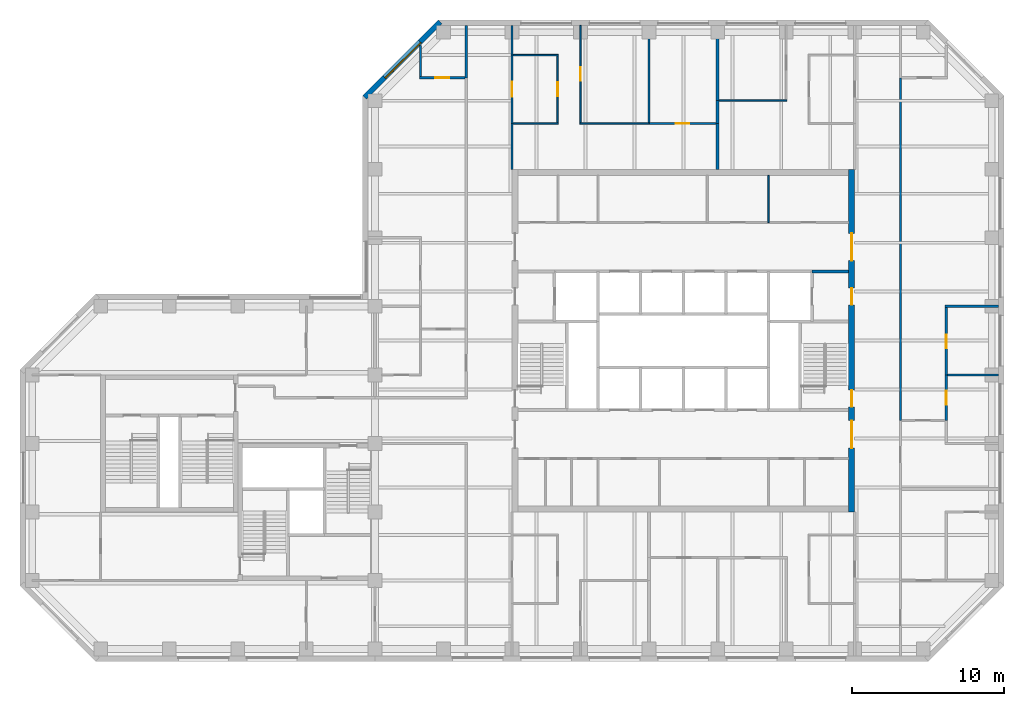
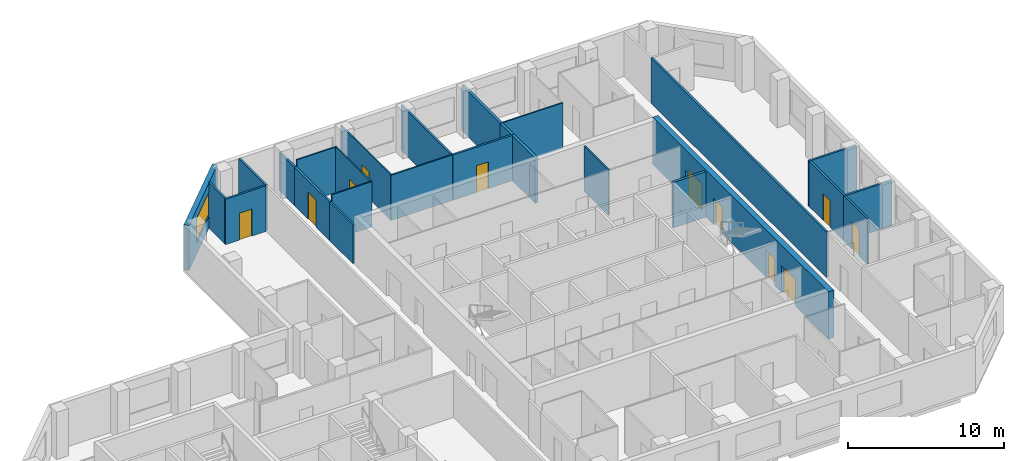
# One storey, part 7 of 10: 26 walls, 11 doors, 1 window, 12 openings.
"""IFC4 building model written with IfcOpenShell, lengths in metres."""

from ifc_helpers import new_model, si_unit, direction, frame, frame_2d, origin, place, context, subcontext, project, spatial, rectangle, extrude, material, layer, layer_set, constituent, constituent_set, type_object, element, fill, save


model = new_model("IFC4")

# Units and contexts
model_context = context("Model", 3, precision=1e-05, world=origin(), true_north=direction((0.0, 1.0)))
body_context = subcontext(model_context, "Body", "Model", "MODEL_VIEW")
ifc_project = project(units=[si_unit("LENGTHUNIT", "METRE"), si_unit("AREAUNIT", "SQUARE_METRE"), si_unit("VOLUMEUNIT", "CUBIC_METRE"), si_unit("PLANEANGLEUNIT", "RADIAN"), si_unit("MASSUNIT", "GRAM", prefix="KILO")], contexts=[model_context])

# Site, building, storey
site_placement = place(None, origin())
site = spatial("IfcSite", under=ifc_project, at=site_placement, CompositionType="ELEMENT")
building_placement = place(site_placement, origin())
building = spatial("IfcBuilding", under=site, at=building_placement, Name="Quoin Convention Tower", CompositionType="ELEMENT")
storey_placement = place(building_placement, frame((0.0, 0.0, 195.800048828125)))
storey = spatial("IfcBuildingStorey", under=building, at=storey_placement, Name="L51", CompositionType="ELEMENT", Elevation=195.800048828125)

# Walls
ifc_material_1 = material(Name="Plasterboard")
ifc_layer_1 = layer(ifc_material_1, 0.012451171875, Name="Finish")
ifc_material_2 = material(Name="Steel stud framing", Category="steel")
ifc_layer_2 = layer(ifc_material_2, 0.125, Name="Structure")
ifc_layer_3 = layer(ifc_material_1, 0.012451171875, Name="Finish")
ifc_layer_set_1 = layer_set([ifc_layer_1, ifc_layer_2, ifc_layer_3], Name="Steel stud framing")
wall_type_1 = type_object("IfcWallType", Name="Acoustic partition 150", PredefinedType="PARTITIONING", material=ifc_layer_set_1)
wall_1_placement = place(storey_placement, frame((73.574951171875, 58.5, 0.0), z_axis=(0.0, 0.0, 1.0), x_axis=(1.0, 0.0, 0.0)))
element("IfcWall", 1, at=wall_1_placement, inside=storey, type_object=wall_type_1, Name="pw-L51-023", PredefinedType="PARTITIONING", context=body_context, shape_type="SweptSolid", body=[
    extrude(rectangle(XDim=3.375, YDim=0.14990234375, at=frame_2d((1.6875, 0.0))), origin(), (0.0, 0.0, 1.0), 3.550048828125),
])
wall_2_placement = place(storey_placement, frame((73.425048828125, 63.0, 0.0), z_axis=(0.0, 0.0, 1.0), x_axis=(1.0, 0.0, 0.0)))
element("IfcWall", 2, at=wall_2_placement, inside=storey, type_object=wall_type_1, Name="pw-L51-027", PredefinedType="PARTITIONING", context=body_context, shape_type="SweptSolid", body=[
    extrude(rectangle(XDim=3.52490234375, YDim=0.14990234375, at=frame_2d((1.762451171875, 0.0))), origin(), (0.0, 0.0, 1.0), 3.550048828125),
])

# Wall, opening, door
wall_3_placement = place(storey_placement, frame((54.0, 75.0, 0.0), z_axis=(0.0, 0.0, 1.0), x_axis=(1.0, 0.0, 0.0)))
wall_3 = element("IfcWall", 3, at=wall_3_placement, inside=storey, type_object=wall_type_1, Name="pw-L51-031", PredefinedType="PARTITIONING", context=body_context, shape_type="SweptSolid", body=[
    extrude(rectangle(XDim=4.39990234375, YDim=0.14990234375, at=frame_2d((2.199951171875, 0.0))), origin(), (0.0, 0.0, 1.0), 3.550048828125),
])
opening_1_placement = place(wall_3_placement, frame((1.75, 0.0, 0.0)))
opening_1 = element("IfcOpeningElement", 4, at=opening_1_placement, cuts=wall_3, Name="Opening DOH7-09", PredefinedType="OPENING", context=body_context, shape_type="SweptSolid", body=[
    extrude(rectangle(XDim=0.89990234375, YDim=2.10009765625, at=frame_2d((0.449951171875, 1.050048828125))), frame((0.0, 0.0849609375, 0.0), z_axis=(0.0, -1.0, 0.0), x_axis=(1.0, 0.0, 0.0)), (0.0, 0.0, 1.0), 0.169921875),
])
ifc_material_3 = material(Name="Steel door leaf", Category="steel")
door_type_1 = type_object("IfcDoorType", Name="Office door 900 x 2100", OperationType="SINGLE_SWING_RIGHT", PredefinedType="DOOR", material=ifc_material_3)
door_1_placement = place(opening_1_placement, frame((0.89990234375, 0.0, 0.0), z_axis=(0.0, 0.0, 1.0), x_axis=(-1.0, 0.0, 0.0)))
door_1 = element("IfcDoor", 5, at=door_1_placement, inside=storey, type_object=door_type_1, Name="dr-L51-22", OperationType="SINGLE_SWING_LEFT", OverallHeight=2.10009765625, OverallWidth=0.89990234375, PredefinedType="DOOR", context=body_context, shape_type="SweptSolid", body=[
    extrude(rectangle(XDim=0.89990234375, YDim=2.10009765625, at=frame_2d((0.449951171875, 1.050048828125))), frame((0.0, 0.02490234375, 0.0), z_axis=(0.0, -1.0, 0.0), x_axis=(1.0, 0.0, 0.0)), (0.0, 0.0, 1.0), 0.050048828125),
])
fill(opening_1, door_1)

wall_4_placement = place(storey_placement, frame((73.5, 55.5, 0.0), z_axis=(0.0, 0.0, 1.0), x_axis=(0.0, 1.0, 0.0)))
wall_4 = element("IfcWall", 6, at=wall_4_placement, inside=storey, type_object=wall_type_1, Name="pw-L51-066", PredefinedType="PARTITIONING", context=body_context, shape_type="SweptSolid", body=[
    extrude(rectangle(XDim=3.0, YDim=0.14990234375, at=frame_2d((1.5, 0.0))), origin(), (0.0, 0.0, 1.0), 3.550048828125),
])
opening_2_placement = place(wall_4_placement, frame((1.050048828125, 0.0, 0.0)))
opening_2 = element("IfcOpeningElement", 7, at=opening_2_placement, cuts=wall_4, Name="Opening DOH7-20", PredefinedType="OPENING", context=body_context, shape_type="SweptSolid", body=[
    extrude(rectangle(XDim=0.89990234375, YDim=2.10009765625, at=frame_2d((0.449951171875, 1.050048828125))), frame((0.0, 0.0849609375, 0.0), z_axis=(0.0, -1.0, 0.0), x_axis=(1.0, 0.0, 0.0)), (0.0, 0.0, 1.0), 0.169921875),
])
door_2_placement = place(opening_2_placement, origin())
door_2 = element("IfcDoor", 8, at=door_2_placement, inside=storey, type_object=door_type_1, Name="dr-L51-31", OperationType="SINGLE_SWING_RIGHT", OverallHeight=2.10009765625, OverallWidth=0.89990234375, PredefinedType="DOOR", context=body_context, shape_type="SweptSolid", body=[
    extrude(rectangle(XDim=0.89990234375, YDim=2.10009765625, at=frame_2d((0.449951171875, 1.050048828125))), frame((0.0, 0.02490234375, 0.0), z_axis=(0.0, -1.0, 0.0), x_axis=(1.0, 0.0, 0.0)), (0.0, 0.0, 1.0), 0.050048828125),
])
fill(opening_2, door_2)

wall_5_placement = place(storey_placement, frame((73.5, 58.5, 0.0), z_axis=(0.0, 0.0, 1.0), x_axis=(0.0, 1.0, 0.0)))
wall_5 = element("IfcWall", 9, at=wall_5_placement, inside=storey, type_object=wall_type_1, Name="pw-L51-069", PredefinedType="PARTITIONING", context=body_context, shape_type="SweptSolid", body=[
    extrude(rectangle(XDim=4.425048828125, YDim=0.14990234375, at=frame_2d((2.21240234375, 0.0))), origin(), (0.0, 0.0, 1.0), 3.550048828125),
])
opening_3_placement = place(wall_5_placement, frame((1.75, 0.0, 0.0)))
opening_3 = element("IfcOpeningElement", 10, at=opening_3_placement, cuts=wall_5, Name="Opening DOH7-22", PredefinedType="OPENING", context=body_context, shape_type="SweptSolid", body=[
    extrude(rectangle(XDim=0.89990234375, YDim=2.10009765625, at=frame_2d((0.449951171875, 1.050048828125))), frame((0.0, 0.0849609375, 0.0), z_axis=(0.0, -1.0, 0.0), x_axis=(1.0, 0.0, 0.0)), (0.0, 0.0, 1.0), 0.169921875),
])
door_3_placement = place(opening_3_placement, origin())
door_3 = element("IfcDoor", 11, at=door_3_placement, inside=storey, type_object=door_type_1, Name="dr-L51-32", OperationType="SINGLE_SWING_RIGHT", OverallHeight=2.10009765625, OverallWidth=0.89990234375, PredefinedType="DOOR", context=body_context, shape_type="SweptSolid", body=[
    extrude(rectangle(XDim=0.89990234375, YDim=2.10009765625, at=frame_2d((0.449951171875, 1.050048828125))), frame((0.0, 0.02490234375, 0.0), z_axis=(0.0, -1.0, 0.0), x_axis=(1.0, 0.0, 0.0)), (0.0, 0.0, 1.0), 0.050048828125),
])
fill(opening_3, door_3)

# Wall
wall_6_placement = place(storey_placement, frame((54.0, 75.074951171875, 0.0), z_axis=(0.0, 0.0, 1.0), x_axis=(0.0, 1.0, 0.0)))
element("IfcWall", 12, at=wall_6_placement, inside=storey, type_object=wall_type_1, Name="pw-L51-086", PredefinedType="PARTITIONING", context=body_context, shape_type="SweptSolid", body=[
    extrude(rectangle(XDim=6.375, YDim=0.14990234375, at=frame_2d((3.1875, 0.0))), origin(), (0.0, 0.0, 1.0), 3.550048828125),
])

# Wall, opening, window
ifc_material_4 = material(Name="Brick masonry", Category="masonry")
ifc_layer_4 = layer(ifc_material_4, 0.35009765625)
ifc_layer_set_2 = layer_set([ifc_layer_4], Name="Brick masonry")
wall_type_2 = type_object("IfcWallType", Name="Brick facade wall", PredefinedType="STANDARD", material=ifc_layer_set_2)
wall_7_placement = place(storey_placement, frame((40.29248046875, 81.67626953125, 0.0), z_axis=(0.0, 0.0, 1.0), x_axis=(-0.707106781187, -0.707106781187, 0.0)))
wall_7 = element("IfcWall", 13, at=wall_7_placement, inside=storey, type_object=wall_type_2, Name="fw-L51-40500_81000", PredefinedType="STANDARD", context=body_context, shape_type="SweptSolid", body=[
    extrude(rectangle(XDim=7.02685546875, YDim=0.35009765625, at=frame_2d((3.513427734375, 0.0))), origin(), (0.0, 0.0, 1.0), 3.52490234375),
])
opening_4_placement = place(wall_7_placement, frame((1.86328125, 0.0, 0.89990234375)))
opening_4 = element("IfcOpeningElement", 14, at=opening_4_placement, cuts=wall_7, Name="Opening W-02", PredefinedType="OPENING", context=body_context, shape_type="SweptSolid", body=[
    extrude(rectangle(XDim=3.300048828125, YDim=1.89990234375, at=frame_2d((1.64990234375, 0.949951171875))), frame((0.0, 0.18505859375, 0.0), z_axis=(0.0, -1.0, 0.0), x_axis=(1.0, 0.0, 0.0)), (0.0, 0.0, 1.0), 0.3701171875),
])
ifc_material_5 = material(Name="Aluminium", Category="aluminium")
ifc_constituent_1 = constituent(ifc_material_5, Name="Frame")
ifc_material_6 = material(Name="Insulated glass", Category="glass")
ifc_constituent_2 = constituent(ifc_material_6, Name="Glazing")
ifc_constituent_set = constituent_set(constituents=[ifc_constituent_1, ifc_constituent_2], Name="Aluminium")
window_type = type_object("IfcWindowType", Name="Office window", PartitioningType="DOUBLE_PANEL_VERTICAL", PredefinedType="WINDOW", material=ifc_constituent_set)
window_placement = place(opening_4_placement, origin())
window = element("IfcWindow", 15, at=window_placement, inside=storey, type_object=window_type, Name="win-L51-37808_79192", OverallHeight=1.89990234375, OverallWidth=3.300048828125, PartitioningType="SINGLE_PANEL", PredefinedType="WINDOW", context=body_context, shape_type="SweptSolid", body=[
    extrude(rectangle(XDim=3.300048828125, YDim=1.89990234375, at=frame_2d((1.64990234375, 0.949951171875))), frame((0.0, 0.0849609375, 0.0), z_axis=(0.0, -1.0, 0.0), x_axis=(1.0, 0.0, 0.0)), (0.0, 0.0, 1.0), 0.06005859375),
])
fill(opening_4, window)

# Walls
ifc_layer_5 = layer(ifc_material_1, 0.012451171875, Name="Finish")
ifc_layer_6 = layer(ifc_material_2, 0.074951171875, Name="Structure")
ifc_layer_7 = layer(ifc_material_1, 0.012451171875, Name="Finish")
ifc_layer_set_3 = layer_set([ifc_layer_5, ifc_layer_6, ifc_layer_7], Name="Steel stud framing")
wall_type_3 = type_object("IfcWallType", Name="Core partition wall", PredefinedType="PARTITIONING", material=ifc_layer_set_3)
wall_8_placement = place(storey_placement, frame((61.85009765625, 68.5, 0.0), z_axis=(0.0, 0.0, 1.0), x_axis=(0.0, 1.0, 0.0)))
element("IfcWall", 16, at=wall_8_placement, inside=storey, type_object=wall_type_3, Name="cr-C1-L51-v16850_19000", PredefinedType="PARTITIONING", context=body_context, shape_type="SweptSolid", body=[
    extrude(rectangle(XDim=3.10009765625, YDim=0.10009765625, at=frame_2d((1.550048828125, 0.0))), origin(), (0.0, 0.0, 1.0), 3.550048828125),
])
ifc_material_7 = material(Name="Concrete C50", Category="concrete")
ifc_layer_8 = layer(ifc_material_7, 0.199951171875)
ifc_layer_set_4 = layer_set([ifc_layer_8], Name="Concrete C50")
wall_type_4 = type_object("IfcWallType", Name="Core shaft wall", PredefinedType="SOLIDWALL", material=ifc_layer_set_4)
wall_9_placement = place(storey_placement, frame((64.699951171875, 65.300048828125, 0.0), z_axis=(0.0, 0.0, 1.0), x_axis=(1.0, 0.0, 0.0)))
element("IfcWall", 17, at=wall_9_placement, inside=storey, type_object=wall_type_4, Name="cr-C1-L51-h15800_19700", PredefinedType="SOLIDWALL", context=body_context, shape_type="SweptSolid", body=[
    extrude(rectangle(XDim=2.400146484375, YDim=0.199951171875, at=frame_2d((1.2001953125, 0.0))), origin(), (0.0, 0.0, 1.0), 3.550048828125),
])
ifc_layer_9 = layer(ifc_material_1, 0.012451171875, Name="Finish")
ifc_layer_10 = layer(ifc_material_2, 0.125, Name="Structure")
ifc_layer_11 = layer(ifc_material_1, 0.012451171875, Name="Finish")
ifc_layer_set_5 = layer_set([ifc_layer_9, ifc_layer_10, ifc_layer_11], Name="Steel stud framing")
wall_type_5 = type_object("IfcWallType", Name="Corridor wall 150", PredefinedType="PARTITIONING", material=ifc_layer_set_5)
wall_10_placement = place(storey_placement, frame((70.5, 55.5, 0.0), z_axis=(0.0, 0.0, 1.0), x_axis=(0.0, 1.0, 0.0)))
element("IfcWall", 18, at=wall_10_placement, inside=storey, type_object=wall_type_5, Name="pw-L51-065", PredefinedType="PARTITIONING", context=body_context, shape_type="SweptSolid", body=[
    extrude(rectangle(XDim=22.5, YDim=0.14990234375, at=frame_2d((11.25, 0.0))), origin(), (0.0, 0.0, 1.0), 3.550048828125),
])
wall_11_placement = place(storey_placement, frame((42.0, 78.0, 0.0), z_axis=(0.0, 0.0, 1.0), x_axis=(0.0, 1.0, 0.0)))
element("IfcWall", 19, at=wall_11_placement, inside=storey, type_object=wall_type_5, Name="pw-L51-089", PredefinedType="PARTITIONING", context=body_context, shape_type="SweptSolid", body=[
    extrude(rectangle(XDim=3.449951171875, YDim=0.14990234375, at=frame_2d((1.72509765625, 0.0))), origin(), (0.0, 0.0, 1.0), 3.550048828125),
])
ifc_layer_12 = layer(ifc_material_1, 0.012451171875, Name="Finish")
ifc_layer_13 = layer(ifc_material_2, 0.125, Name="Structure")
ifc_layer_14 = layer(ifc_material_1, 0.012451171875, Name="Finish")
ifc_layer_set_6 = layer_set([ifc_layer_12, ifc_layer_13, ifc_layer_14], Name="Steel stud framing")
wall_type_6 = type_object("IfcWallType", Name="Corridor wall 150 under beam 528", PredefinedType="PARTITIONING", material=ifc_layer_set_6)
wall_12_placement = place(storey_placement, frame((45.0, 72.0, 0.0), z_axis=(0.0, 0.0, 1.0), x_axis=(0.0, 1.0, 0.0)))
element("IfcWall", 20, at=wall_12_placement, inside=storey, type_object=wall_type_6, Name="pw-L51-077", PredefinedType="PARTITIONING", context=body_context, shape_type="SweptSolid", body=[
    extrude(rectangle(XDim=3.0, YDim=0.14990234375, at=frame_2d((1.5, 0.0))), origin(), (0.0, 0.0, 1.0), 3.02197265625),
])

# Wall, opening, door
wall_13_placement = place(storey_placement, frame((45.0, 75.0, 0.0), z_axis=(0.0, 0.0, 1.0), x_axis=(0.0, 1.0, 0.0)))
wall_13 = element("IfcWall", 21, at=wall_13_placement, inside=storey, type_object=wall_type_6, Name="pw-L51-080", PredefinedType="PARTITIONING", context=body_context, shape_type="SweptSolid", body=[
    extrude(rectangle(XDim=4.5, YDim=0.14990234375, at=frame_2d((2.25, 0.0))), origin(), (0.0, 0.0, 1.0), 3.02197265625),
])
opening_5_placement = place(wall_13_placement, frame((1.75, 0.0, 0.0)))
opening_5 = element("IfcOpeningElement", 22, at=opening_5_placement, cuts=wall_13, Name="Opening DOH7-24", PredefinedType="OPENING", context=body_context, shape_type="SweptSolid", body=[
    extrude(rectangle(XDim=1.0, YDim=2.10009765625, at=frame_2d((0.5, 1.050048828125))), frame((0.0, 0.0849609375, 0.0), z_axis=(0.0, -1.0, 0.0), x_axis=(1.0, 0.0, 0.0)), (0.0, 0.0, 1.0), 0.169921875),
])
door_type_2 = type_object("IfcDoorType", Name="Tenancy entrance door 1000 x 2100", OperationType="DOUBLE_DOOR_SINGLE_SWING", PredefinedType="DOOR", material=ifc_material_3)
door_4_placement = place(opening_5_placement, frame((1.0, 0.0, 0.0), z_axis=(0.0, 0.0, 1.0), x_axis=(-1.0, 0.0, 0.0)))
door_4 = element("IfcDoor", 23, at=door_4_placement, inside=storey, type_object=door_type_2, Name="dr-L51-19", OperationType="DOUBLE_DOOR_SINGLE_SWING", OverallHeight=2.10009765625, OverallWidth=1.0, PredefinedType="DOOR", context=body_context, shape_type="SweptSolid", body=[
    extrude(rectangle(XDim=1.0, YDim=2.10009765625, at=frame_2d((0.5, 1.050048828125))), frame((0.0, 0.02490234375, 0.0), z_axis=(0.0, -1.0, 0.0), x_axis=(1.0, 0.0, 0.0)), (0.0, 0.0, 1.0), 0.050048828125),
])
fill(opening_5, door_4)

# Wall
wall_14_placement = place(storey_placement, frame((45.0, 79.5, 0.0), z_axis=(0.0, 0.0, 1.0), x_axis=(0.0, 1.0, 0.0)))
element("IfcWall", 24, at=wall_14_placement, inside=storey, type_object=wall_type_6, Name="pw-L51-093", PredefinedType="PARTITIONING", context=body_context, shape_type="SweptSolid", body=[
    extrude(rectangle(XDim=1.949951171875, YDim=0.14990234375, at=frame_2d((0.97509765625, 0.0))), origin(), (0.0, 0.0, 1.0), 3.02197265625),
])

# Wall, openings, doors
ifc_layer_15 = layer(ifc_material_7, 0.39990234375)
ifc_layer_set_7 = layer_set([ifc_layer_15], Name="Concrete C50")
wall_type_7 = type_object("IfcWallType", Name="RC CORE WALL 400 C50", PredefinedType="SHEAR", material=ifc_layer_set_7)
wall_15_placement = place(storey_placement, frame((67.300048828125, 49.5, 0.0), z_axis=(0.0, 0.0, 1.0), x_axis=(0.0, 1.0, 0.0)))
wall_15 = element("IfcWall", 25, at=wall_15_placement, inside=storey, type_object=wall_type_7, Name="cwl-C1-L51-E", PredefinedType="SHEAR", context=body_context, shape_type="SweptSolid", body=[
    extrude(rectangle(XDim=22.5, YDim=0.39990234375, at=frame_2d((11.25, 0.0))), origin(), (0.0, 0.0, 1.0), 3.699951171875),
])
opening_6_placement = place(wall_15_placement, frame((4.199951171875, 0.0, 0.0)))
opening_6 = element("IfcOpeningElement", 26, at=opening_6_placement, cuts=wall_15, Name="Opening DCV5-48", PredefinedType="OPENING", context=body_context, shape_type="SweptSolid", body=[
    extrude(rectangle(XDim=1.800048828125, YDim=2.10009765625, at=frame_2d((0.89990234375, 1.050048828125))), frame((0.0, 0.2099609375, 0.0), z_axis=(0.0, -1.0, 0.0), x_axis=(1.0, 0.0, 0.0)), (0.0, 0.0, 1.0), 0.419921875),
])
opening_7_placement = place(wall_15_placement, frame((6.89990234375, 0.0, 0.0)))
opening_7 = element("IfcOpeningElement", 27, at=opening_7_placement, cuts=wall_15, Name="Opening SD2", PredefinedType="OPENING", context=body_context, shape_type="SweptSolid", body=[
    extrude(rectangle(XDim=1.10009765625, YDim=2.10009765625, at=frame_2d((0.550048828125, 1.050048828125))), frame((0.0, 0.2099609375, 0.0), z_axis=(0.0, -1.0, 0.0), x_axis=(1.0, 0.0, 0.0)), (0.0, 0.0, 1.0), 0.419921875),
])
opening_8_placement = place(wall_15_placement, frame((13.60009765625, 0.0, 0.0)))
opening_8 = element("IfcOpeningElement", 28, at=opening_8_placement, cuts=wall_15, Name="Opening DCV5-47", PredefinedType="OPENING", context=body_context, shape_type="SweptSolid", body=[
    extrude(rectangle(XDim=1.10009765625, YDim=2.10009765625, at=frame_2d((0.550048828125, 1.050048828125))), frame((0.0, 0.2099609375, 0.0), z_axis=(0.0, -1.0, 0.0), x_axis=(1.0, 0.0, 0.0)), (0.0, 0.0, 1.0), 0.419921875),
])
opening_9_placement = place(wall_15_placement, frame((16.5, 0.0, 0.0)))
opening_9 = element("IfcOpeningElement", 29, at=opening_9_placement, cuts=wall_15, Name="Opening DCV5-48", PredefinedType="OPENING", context=body_context, shape_type="SweptSolid", body=[
    extrude(rectangle(XDim=1.800048828125, YDim=2.10009765625, at=frame_2d((0.89990234375, 1.050048828125))), frame((0.0, 0.2099609375, 0.0), z_axis=(0.0, -1.0, 0.0), x_axis=(1.0, 0.0, 0.0)), (0.0, 0.0, 1.0), 0.419921875),
])
door_type_3 = type_object("IfcDoorType", Name="Fire-fighting lobby door 1100 x 2100", OperationType="SINGLE_SWING_LEFT", PredefinedType="DOOR", material=ifc_material_3)
door_5_placement = place(opening_8_placement, origin())
door_5 = element("IfcDoor", 30, at=door_5_placement, inside=storey, type_object=door_type_3, Name="cd-C1-L51-FFE-E", OperationType="SINGLE_SWING_RIGHT", OverallHeight=2.10009765625, OverallWidth=1.10009765625, PredefinedType="DOOR", context=body_context, shape_type="SweptSolid", body=[
    extrude(rectangle(XDim=1.10009765625, YDim=2.10009765625, at=frame_2d((0.550048828125, 1.050048828125))), frame((0.0, 0.02490234375, 0.0), z_axis=(0.0, -1.0, 0.0), x_axis=(1.0, 0.0, 0.0)), (0.0, 0.0, 1.0), 0.050048828125),
])
fill(opening_8, door_5)
door_type_4 = type_object("IfcDoorType", Name="Lift lobby door 1800 x 2100", OperationType="SINGLE_SWING_LEFT", PredefinedType="DOOR", material=ifc_material_3)
door_6_placement = place(opening_6_placement, origin())
door_6 = element("IfcDoor", 31, at=door_6_placement, inside=storey, type_object=door_type_4, Name="cd-C1-L51-lobA-E", OperationType="SINGLE_SWING_RIGHT", OverallHeight=2.10009765625, OverallWidth=1.800048828125, PredefinedType="DOOR", context=body_context, shape_type="SweptSolid", body=[
    extrude(rectangle(XDim=1.800048828125, YDim=2.10009765625, at=frame_2d((0.89990234375, 1.050048828125))), frame((0.0, 0.02490234375, 0.0), z_axis=(0.0, -1.0, 0.0), x_axis=(1.0, 0.0, 0.0)), (0.0, 0.0, 1.0), 0.050048828125),
])
fill(opening_6, door_6)
door_7_placement = place(opening_9_placement, origin())
door_7 = element("IfcDoor", 32, at=door_7_placement, inside=storey, type_object=door_type_4, Name="cd-C1-L51-lobB-E", OperationType="SINGLE_SWING_RIGHT", OverallHeight=2.10009765625, OverallWidth=1.800048828125, PredefinedType="DOOR", context=body_context, shape_type="SweptSolid", body=[
    extrude(rectangle(XDim=1.800048828125, YDim=2.10009765625, at=frame_2d((0.89990234375, 1.050048828125))), frame((0.0, 0.02490234375, 0.0), z_axis=(0.0, -1.0, 0.0), x_axis=(1.0, 0.0, 0.0)), (0.0, 0.0, 1.0), 0.050048828125),
])
fill(opening_9, door_7)
door_type_5 = type_object("IfcDoorType", Name="Stair door 1100 x 2100", OperationType="SINGLE_SWING_RIGHT", PredefinedType="DOOR", material=ifc_material_3)
door_8_placement = place(opening_7_placement, origin())
door_8 = element("IfcDoor", 33, at=door_8_placement, inside=storey, type_object=door_type_5, Name="cd-C1-L51-STE-E", OperationType="SINGLE_SWING_LEFT", OverallHeight=2.10009765625, OverallWidth=1.10009765625, PredefinedType="DOOR", context=body_context, shape_type="SweptSolid", body=[
    extrude(rectangle(XDim=1.10009765625, YDim=2.10009765625, at=frame_2d((0.550048828125, 1.050048828125))), frame((0.0, 0.02490234375, 0.0), z_axis=(0.0, -1.0, 0.0), x_axis=(1.0, 0.0, 0.0)), (0.0, 0.0, 1.0), 0.050048828125),
])
fill(opening_7, door_8)

# Walls
ifc_layer_16 = layer(ifc_material_1, 0.012451171875, Name="Finish")
ifc_layer_17 = layer(ifc_material_2, 0.074951171875, Name="Structure")
ifc_layer_18 = layer(ifc_material_1, 0.012451171875, Name="Finish")
ifc_layer_set_8 = layer_set([ifc_layer_16, ifc_layer_17, ifc_layer_18], Name="Steel stud framing")
wall_type_8 = type_object("IfcWallType", Name="Stud partition 100", PredefinedType="PARTITIONING", material=ifc_layer_set_8)
wall_16_placement = place(storey_placement, frame((45.074951171875, 75.0, 0.0), z_axis=(0.0, 0.0, 1.0), x_axis=(1.0, 0.0, 0.0)))
element("IfcWall", 34, at=wall_16_placement, inside=storey, type_object=wall_type_8, Name="pw-L51-029", PredefinedType="PARTITIONING", context=body_context, shape_type="SweptSolid", body=[
    extrude(rectangle(XDim=2.97509765625, YDim=0.10009765625, at=frame_2d((1.487548828125, 0.0))), origin(), (0.0, 0.0, 1.0), 3.550048828125),
])
wall_17_placement = place(storey_placement, frame((49.449951171875, 75.0, 0.0), z_axis=(0.0, 0.0, 1.0), x_axis=(1.0, 0.0, 0.0)))
element("IfcWall", 35, at=wall_17_placement, inside=storey, type_object=wall_type_8, Name="pw-L51-030", PredefinedType="PARTITIONING", context=body_context, shape_type="SweptSolid", body=[
    extrude(rectangle(XDim=4.550048828125, YDim=0.10009765625, at=frame_2d((2.27490234375, 0.0))), origin(), (0.0, 0.0, 1.0), 3.550048828125),
])
wall_18_placement = place(storey_placement, frame((58.60009765625, 76.5, 0.0), z_axis=(0.0, 0.0, 1.0), x_axis=(1.0, 0.0, 0.0)))
element("IfcWall", 36, at=wall_18_placement, inside=storey, type_object=wall_type_8, Name="pw-L51-033", PredefinedType="PARTITIONING", context=body_context, shape_type="SweptSolid", body=[
    extrude(rectangle(XDim=4.449951171875, YDim=0.10009765625, at=frame_2d((2.22509765625, 0.0))), origin(), (0.0, 0.0, 1.0), 3.550048828125),
])
wall_19_placement = place(storey_placement, frame((45.074951171875, 79.5, 0.0), z_axis=(0.0, 0.0, 1.0), x_axis=(1.0, 0.0, 0.0)))
element("IfcWall", 37, at=wall_19_placement, inside=storey, type_object=wall_type_8, Name="pw-L51-036", PredefinedType="PARTITIONING", context=body_context, shape_type="SweptSolid", body=[
    extrude(rectangle(XDim=2.97509765625, YDim=0.10009765625, at=frame_2d((1.487548828125, 0.0))), origin(), (0.0, 0.0, 1.0), 3.550048828125),
])

# Wall, opening, door
wall_20_placement = place(storey_placement, frame((48.0, 75.050048828125, 0.0), z_axis=(0.0, 0.0, 1.0), x_axis=(0.0, 1.0, 0.0)))
wall_20 = element("IfcWall", 38, at=wall_20_placement, inside=storey, type_object=wall_type_8, Name="pw-L51-083", PredefinedType="PARTITIONING", context=body_context, shape_type="SweptSolid", body=[
    extrude(rectangle(XDim=4.39990234375, YDim=0.10009765625, at=frame_2d((2.199951171875, 0.0))), origin(), (0.0, 0.0, 1.0), 3.550048828125),
])
opening_10_placement = place(wall_20_placement, frame((1.75, 0.0, 0.0)))
opening_10 = element("IfcOpeningElement", 39, at=opening_10_placement, cuts=wall_20, Name="Opening DOH7-26", PredefinedType="OPENING", context=body_context, shape_type="SweptSolid", body=[
    extrude(rectangle(XDim=0.89990234375, YDim=2.10009765625, at=frame_2d((0.449951171875, 1.050048828125))), frame((0.0, 0.06005859375, 0.0), z_axis=(0.0, -1.0, 0.0), x_axis=(1.0, 0.0, 0.0)), (0.0, 0.0, 1.0), 0.1201171875),
])
door_9_placement = place(opening_10_placement, frame((0.89990234375, 0.0, 0.0), z_axis=(0.0, 0.0, 1.0), x_axis=(-1.0, 0.0, 0.0)))
door_9 = element("IfcDoor", 40, at=door_9_placement, inside=storey, type_object=door_type_1, Name="dr-L51-20", OperationType="SINGLE_SWING_LEFT", OverallHeight=2.10009765625, OverallWidth=0.89990234375, PredefinedType="DOOR", context=body_context, shape_type="SweptSolid", body=[
    extrude(rectangle(XDim=0.89990234375, YDim=2.10009765625, at=frame_2d((0.449951171875, 1.050048828125))), frame((0.0, 0.02490234375, 0.0), z_axis=(0.0, -1.0, 0.0), x_axis=(1.0, 0.0, 0.0)), (0.0, 0.0, 1.0), 0.050048828125),
])
fill(opening_10, door_9)

wall_21_placement = place(storey_placement, frame((49.5, 75.050048828125, 0.0), z_axis=(0.0, 0.0, 1.0), x_axis=(0.0, 1.0, 0.0)))
wall_21 = element("IfcWall", 41, at=wall_21_placement, inside=storey, type_object=wall_type_8, Name="pw-L51-084", PredefinedType="PARTITIONING", context=body_context, shape_type="SweptSolid", body=[
    extrude(rectangle(XDim=6.39990234375, YDim=0.10009765625, at=frame_2d((3.199951171875, 0.0))), origin(), (0.0, 0.0, 1.0), 3.550048828125),
])
opening_11_placement = place(wall_21_placement, frame((2.75, 0.0, 0.0)))
opening_11 = element("IfcOpeningElement", 42, at=opening_11_placement, cuts=wall_21, Name="Opening DOH7-27", PredefinedType="OPENING", context=body_context, shape_type="SweptSolid", body=[
    extrude(rectangle(XDim=0.89990234375, YDim=2.10009765625, at=frame_2d((0.449951171875, 1.050048828125))), frame((0.0, 0.06005859375, 0.0), z_axis=(0.0, -1.0, 0.0), x_axis=(1.0, 0.0, 0.0)), (0.0, 0.0, 1.0), 0.1201171875),
])
door_10_placement = place(opening_11_placement, origin())
door_10 = element("IfcDoor", 43, at=door_10_placement, inside=storey, type_object=door_type_1, Name="dr-L51-21", OperationType="SINGLE_SWING_RIGHT", OverallHeight=2.10009765625, OverallWidth=0.89990234375, PredefinedType="DOOR", context=body_context, shape_type="SweptSolid", body=[
    extrude(rectangle(XDim=0.89990234375, YDim=2.10009765625, at=frame_2d((0.449951171875, 1.050048828125))), frame((0.0, 0.02490234375, 0.0), z_axis=(0.0, -1.0, 0.0), x_axis=(1.0, 0.0, 0.0)), (0.0, 0.0, 1.0), 0.050048828125),
])
fill(opening_11, door_10)

# Walls
ifc_layer_19 = layer(ifc_material_1, 0.012451171875, Name="Finish")
ifc_layer_20 = layer(ifc_material_2, 0.175048828125, Name="Structure")
ifc_layer_21 = layer(ifc_material_1, 0.012451171875, Name="Finish")
ifc_layer_set_9 = layer_set([ifc_layer_19, ifc_layer_20, ifc_layer_21], Name="Steel stud framing")
wall_type_9 = type_object("IfcWallType", Name="Tenancy demising wall 200", PredefinedType="PARTITIONING", material=ifc_layer_set_9)
wall_22_placement = place(storey_placement, frame((58.5, 72.0, 0.0), z_axis=(0.0, 0.0, 1.0), x_axis=(0.0, 1.0, 0.0)))
element("IfcWall", 44, at=wall_22_placement, inside=storey, type_object=wall_type_9, Name="pw-L51-078", PredefinedType="PARTITIONING", context=body_context, shape_type="SweptSolid", body=[
    extrude(rectangle(XDim=3.0, YDim=0.199951171875, at=frame_2d((1.5, 0.0))), origin(), (0.0, 0.0, 1.0), 3.550048828125),
])
wall_23_placement = place(storey_placement, frame((58.5, 75.0, 0.0), z_axis=(0.0, 0.0, 1.0), x_axis=(0.0, 1.0, 0.0)))
element("IfcWall", 45, at=wall_23_placement, inside=storey, type_object=wall_type_9, Name="pw-L51-081", PredefinedType="PARTITIONING", context=body_context, shape_type="SweptSolid", body=[
    extrude(rectangle(XDim=1.5, YDim=0.199951171875, at=frame_2d((0.75, 0.0))), origin(), (0.0, 0.0, 1.0), 3.550048828125),
])
wall_24_placement = place(storey_placement, frame((58.5, 76.5, 0.0), z_axis=(0.0, 0.0, 1.0), x_axis=(0.0, 1.0, 0.0)))
element("IfcWall", 46, at=wall_24_placement, inside=storey, type_object=wall_type_9, Name="pw-L51-087", PredefinedType="PARTITIONING", context=body_context, shape_type="SweptSolid", body=[
    extrude(rectangle(XDim=4.949951171875, YDim=0.199951171875, at=frame_2d((2.47509765625, 0.0))), origin(), (0.0, 0.0, 1.0), 3.550048828125),
])

# Wall, opening, door
ifc_layer_22 = layer(ifc_material_1, 0.012451171875, Name="Finish")
ifc_layer_23 = layer(ifc_material_2, 0.125, Name="Structure")
ifc_layer_24 = layer(ifc_material_1, 0.012451171875, Name="Finish")
ifc_layer_set_10 = layer_set([ifc_layer_22, ifc_layer_23, ifc_layer_24], Name="Steel stud framing")
wall_type_10 = type_object("IfcWallType", Name="Wet area partition 150", PredefinedType="PARTITIONING", material=ifc_layer_set_10)
wall_25_placement = place(storey_placement, frame((38.925048828125, 78.0, 0.0), z_axis=(0.0, 0.0, 1.0), x_axis=(1.0, 0.0, 0.0)))
wall_25 = element("IfcWall", 47, at=wall_25_placement, inside=storey, type_object=wall_type_10, Name="pw-L51-034", PredefinedType="PARTITIONING", context=body_context, shape_type="SweptSolid", body=[
    extrude(rectangle(XDim=3.0, YDim=0.14990234375, at=frame_2d((1.5, 0.0))), origin(), (0.0, 0.0, 1.0), 3.550048828125),
])
opening_12_placement = place(wall_25_placement, frame((1.050048828125, 0.0, 0.0)))
opening_12 = element("IfcOpeningElement", 48, at=opening_12_placement, cuts=wall_25, Name="Opening DOH7-10", PredefinedType="OPENING", context=body_context, shape_type="SweptSolid", body=[
    extrude(rectangle(XDim=0.89990234375, YDim=2.10009765625, at=frame_2d((0.449951171875, 1.050048828125))), frame((0.0, 0.0849609375, 0.0), z_axis=(0.0, -1.0, 0.0), x_axis=(1.0, 0.0, 0.0)), (0.0, 0.0, 1.0), 0.169921875),
])
door_11_placement = place(opening_12_placement, frame((0.89990234375, 0.0, 0.0), z_axis=(0.0, 0.0, 1.0), x_axis=(-1.0, 0.0, 0.0)))
door_11 = element("IfcDoor", 49, at=door_11_placement, inside=storey, type_object=door_type_1, Name="dr-L51-11", OperationType="SINGLE_SWING_LEFT", OverallHeight=2.10009765625, OverallWidth=0.89990234375, PredefinedType="DOOR", context=body_context, shape_type="SweptSolid", body=[
    extrude(rectangle(XDim=0.89990234375, YDim=2.10009765625, at=frame_2d((0.449951171875, 1.050048828125))), frame((0.0, 0.02490234375, 0.0), z_axis=(0.0, -1.0, 0.0), x_axis=(1.0, 0.0, 0.0)), (0.0, 0.0, 1.0), 0.050048828125),
])
fill(opening_12, door_11)

# Wall
wall_26_placement = place(storey_placement, frame((39.0, 78.074951171875, 0.0), z_axis=(0.0, 0.0, 1.0), x_axis=(0.0, 1.0, 0.0)))
element("IfcWall", 50, at=wall_26_placement, inside=storey, type_object=wall_type_10, Name="pw-L51-091", PredefinedType="PARTITIONING", context=body_context, shape_type="SweptSolid", body=[
    extrude(rectangle(XDim=2.0615234375, YDim=0.14990234375, at=frame_2d((1.03076171875, 0.0))), origin(), (0.0, 0.0, 1.0), 3.550048828125),
])

save(model, "model.ifc")
